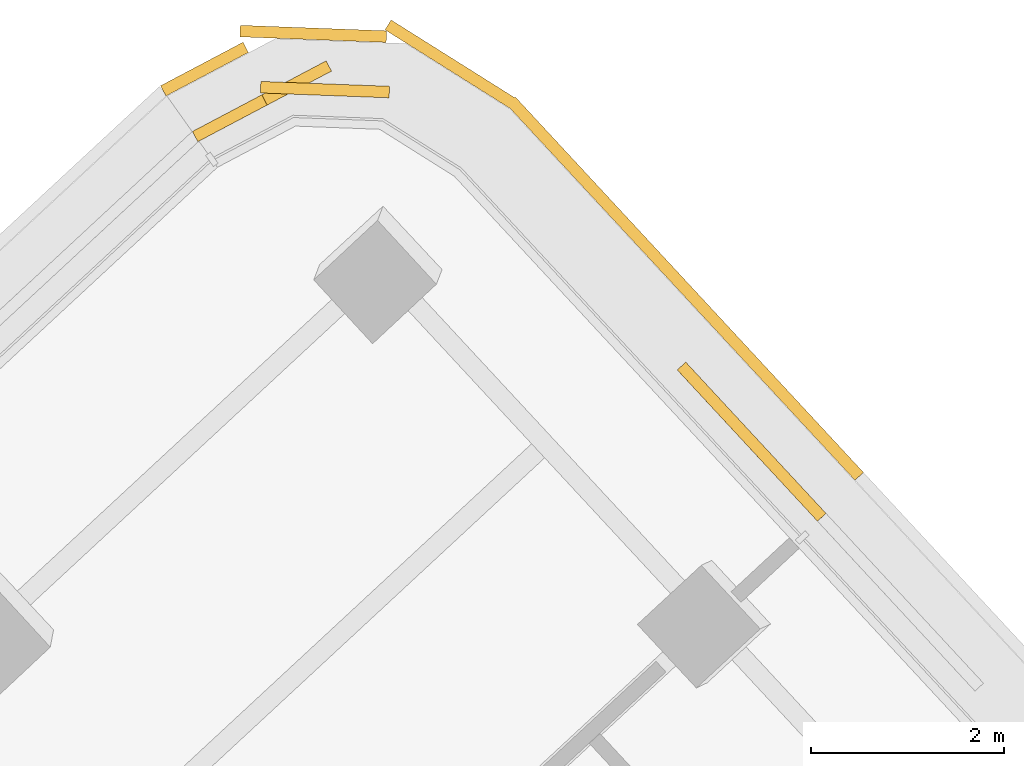
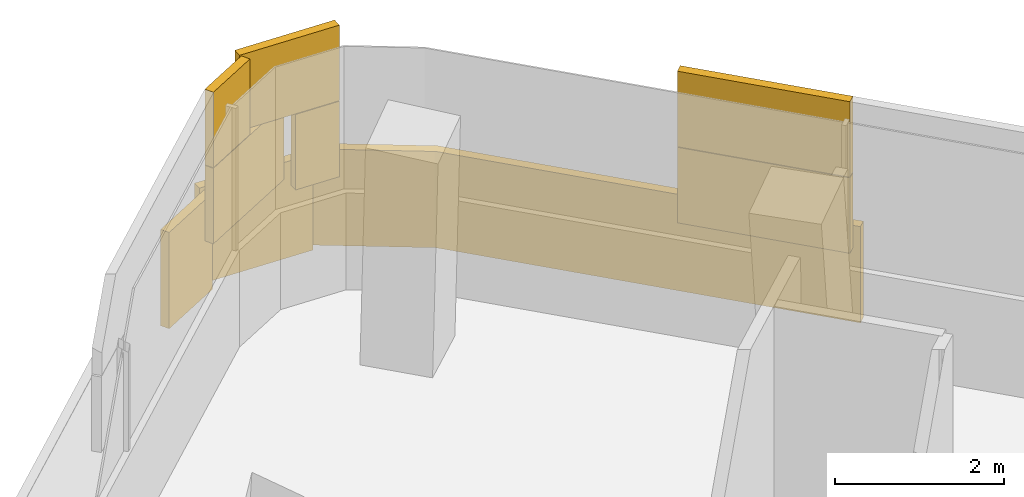
# One storey, part 33 of 34: 1 covering.
"""IFC4 building model written with IfcOpenShell, lengths in metres."""

from ifc_helpers import new_model, si_unit, direction, frame, origin, origin_2d, place, context, subcontext, project, spatial, rectangle, extrude, material, layer, layer_set, type_object, element, save


model = new_model("IFC4")

# Units and contexts
model_context = context("Model", 3, precision=1e-05, world=origin(), true_north=direction((0.0, 1.0)))
body_context = subcontext(model_context, "Body", "Model", "MODEL_VIEW")
ifc_project = project(units=[si_unit("LENGTHUNIT", "METRE"), si_unit("AREAUNIT", "SQUARE_METRE"), si_unit("VOLUMEUNIT", "CUBIC_METRE"), si_unit("PLANEANGLEUNIT", "RADIAN"), si_unit("MASSUNIT", "GRAM", prefix="KILO")], contexts=[model_context])

# Site, building, storey
site_placement = place(None, origin())
site = spatial("IfcSite", under=ifc_project, at=site_placement, CompositionType="ELEMENT")
building_placement = place(site_placement, origin())
building = spatial("IfcBuilding", under=site, at=building_placement, Name="Tamarind Cross Interchange Tower", CompositionType="ELEMENT")
storey_placement = place(building_placement, frame((0.0, 0.0, 189.699951171875)))
storey = spatial("IfcBuildingStorey", under=building, at=storey_placement, Name="L47", CompositionType="ELEMENT", Elevation=189.699951171875)

# Covering
ifc_material = material(Name="Terracotta", Category="masonry")
ifc_layer = layer(ifc_material, 0.1201171875)
ifc_layer_set = layer_set([ifc_layer], Name="Terracotta")
covering_type = type_object("IfcCoveringType", Name="Terracotta baguette screen unit", PredefinedType="MOLDING", material=ifc_layer_set)
covering_placement = place(storey_placement, origin())
element("IfcCovering", 1, at=covering_placement, inside=storey, type_object=covering_type, Name="SCR-L47-03-02", PredefinedType="MOLDING", context=body_context, shape_type="SweptSolid", body=[
    extrude(rectangle(XDim=0.917724609375, YDim=0.1201171875, at=origin_2d()), frame((-6.87646484375, 39.84423828125, 1.40380859375), z_axis=(0.0, 0.0, 1.0), x_axis=(-0.679912424958, 0.73329332084, 0.0)), (0.0, 0.0, 1.0), 1.092041015625),
    extrude(rectangle(XDim=1.2333984375, YDim=0.1201171875, at=origin_2d()), frame((-7.60107421875, 40.62548828125, 1.40380859375), z_axis=(0.0, 0.0, 1.0), x_axis=(-0.679912424958, 0.73329332084, 0.0)), (0.0, 0.0, 1.0), 1.092041015625),
    extrude(rectangle(XDim=0.586669921875, YDim=0.1201171875, at=origin_2d()), frame((-11.3466796875, 43.93310546875, 1.40380859375), z_axis=(0.0, 0.0, 1.0), x_axis=(-0.999287366065, 0.037745993464, 0.0)), (0.0, 0.0, 1.0), 1.092041015625),
    extrude(rectangle(XDim=1.52001953125, YDim=0.1201171875, at=origin_2d()), frame((-12.353515625, 43.837646484375, 1.40380859375), z_axis=(0.0, 0.0, 1.0), x_axis=(-0.884281241425, -0.466954693802, 0.0)), (0.0, 0.0, 1.0), 1.092041015625),
    extrude(rectangle(XDim=0.064453125, YDim=0.1201171875, at=origin_2d()), frame((-13.040771484375, 43.474609375, 1.40380859375), z_axis=(0.0, 0.0, 1.0), x_axis=(-0.884281241425, -0.466954693802, 0.0)), (0.0, 0.0, 1.0), 1.092041015625),
    extrude(rectangle(XDim=0.167724609375, YDim=0.1201171875, at=origin_2d()), frame((-6.62158203125, 39.5693359375, 2.50390625), z_axis=(0.0, 0.0, 1.0), x_axis=(-0.679912424958, 0.73329332084, 0.0)), (0.0, 0.0, 1.0), 1.092041015625),
    extrude(rectangle(XDim=1.52001953125, YDim=0.1201171875, at=origin_2d()), frame((-7.18505859375, 40.177001953125, 2.50390625), z_axis=(0.0, 0.0, 1.0), x_axis=(-0.679912424958, 0.73329332084, 0.0)), (0.0, 0.0, 1.0), 1.092041015625),
    extrude(rectangle(XDim=0.4833984375, YDim=0.1201171875, at=origin_2d()), frame((-7.85595703125, 40.900634765625, 2.50390625), z_axis=(0.0, 0.0, 1.0), x_axis=(-0.679912424958, 0.73329332084, 0.0)), (0.0, 0.0, 1.0), 1.092041015625),
    extrude(rectangle(XDim=1.336669921875, YDim=0.1201171875, at=origin_2d()), frame((-11.721435546875, 43.947265625, 2.50390625), z_axis=(0.0, 0.0, 1.0), x_axis=(-0.999287366065, 0.037745993464, 0.0)), (0.0, 0.0, 1.0), 1.092041015625),
    extrude(rectangle(XDim=0.814453125, YDim=0.1201171875, at=origin_2d()), frame((-12.709228515625, 43.64990234375, 2.50390625), z_axis=(0.0, 0.0, 1.0), x_axis=(-0.884281241425, -0.466954693802, 0.0)), (0.0, 0.0, 1.0), 1.092041015625),
    extrude(rectangle(XDim=0.814208984375, YDim=0.1201171875, at=origin_2d()), frame((-6.45263671875, 40.2314453125, 0.00390625), z_axis=(0.0, 0.0, 1.0), x_axis=(-0.679912424958, 0.73329332084, 0.0)), (0.0, 0.0, 1.0), 1.39208984375),
    extrude(rectangle(XDim=1.52001953125, YDim=0.1201171875, at=origin_2d()), frame((-7.232666015625, 41.072509765625, 0.00390625), z_axis=(0.0, 0.0, 1.0), x_axis=(-0.679912424958, 0.73329332084, 0.0)), (0.0, 0.0, 1.0), 1.39208984375),
    extrude(rectangle(XDim=1.52001953125, YDim=0.1201171875, at=origin_2d()), frame((-8.25244140625, 42.17236328125, 0.00390625), z_axis=(0.0, 0.0, 1.0), x_axis=(-0.679912424958, 0.73329332084, 0.0)), (0.0, 0.0, 1.0), 1.39208984375),
    extrude(rectangle(XDim=1.52001953125, YDim=0.1201171875, at=origin_2d()), frame((-9.2724609375, 43.2724609375, 0.00390625), z_axis=(0.0, 0.0, 1.0), x_axis=(-0.679912424958, 0.73329332084, 0.0)), (0.0, 0.0, 1.0), 1.39208984375),
    extrude(rectangle(XDim=1.52001953125, YDim=0.1201171875, at=origin_2d()), frame((-10.423095703125, 44.214599609375, 0.00390625), z_axis=(0.0, 0.0, 1.0), x_axis=(-0.846535247961, 0.532332672263, 0.0)), (0.0, 0.0, 1.0), 1.39208984375),
    extrude(rectangle(XDim=1.52001953125, YDim=0.1201171875, at=origin_2d()), frame((-11.84326171875, 44.5263671875, 0.00390625), z_axis=(0.0, 0.0, 1.0), x_axis=(-0.999287366065, 0.037745993464, 0.0)), (0.0, 0.0, 1.0), 1.39208984375),
    extrude(rectangle(XDim=0.967529296875, YDim=0.1201171875, at=origin_2d()), frame((-12.97216796875, 44.16015625, 0.00390625), z_axis=(0.0, 0.0, 1.0), x_axis=(-0.884281241425, -0.466954693802, 0.0)), (0.0, 0.0, 1.0), 1.39208984375),
])

save(model, "model.ifc")
